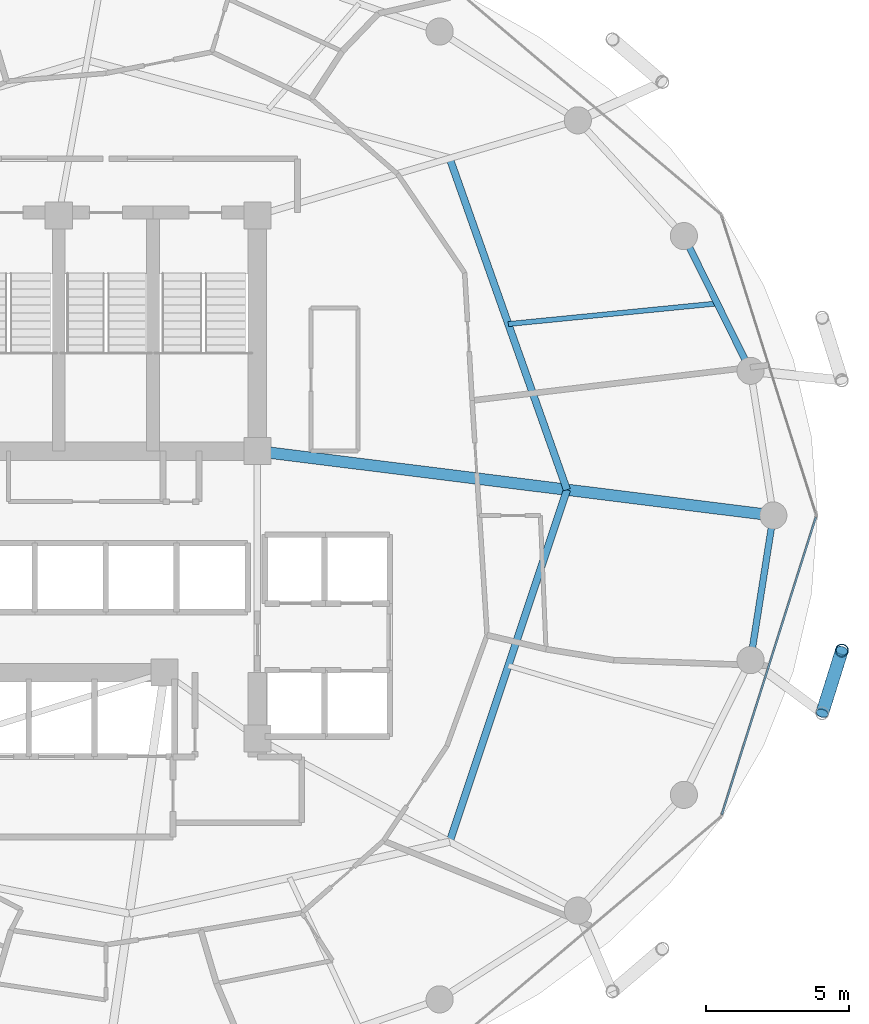
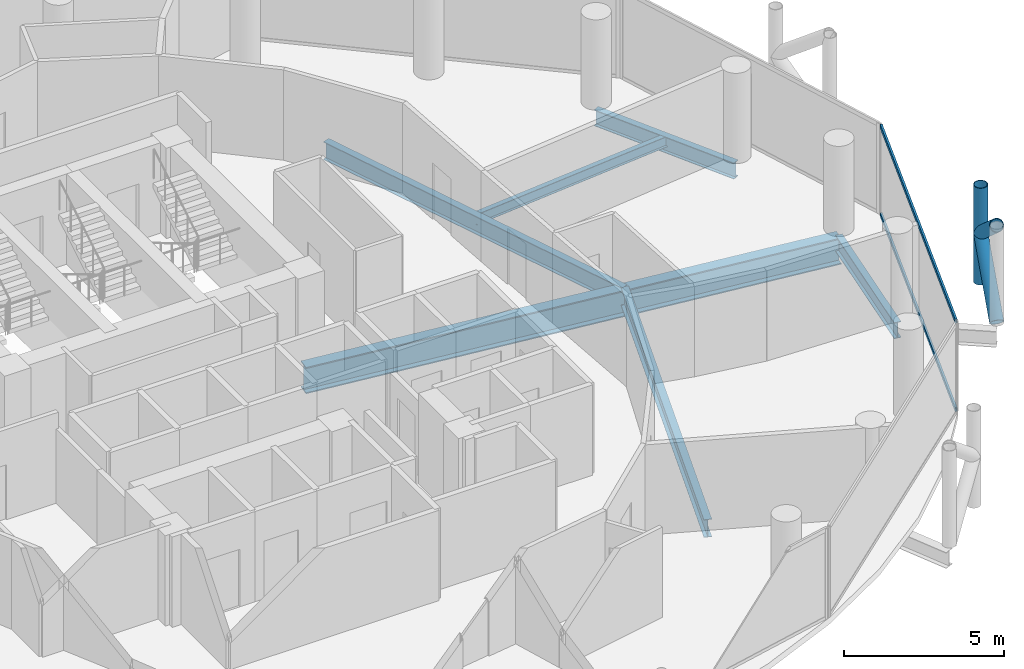
# One storey, part 11 of 26: 6 beams, 5 members, 1 element without a shape of its own.
"""IFC4 building model written with IfcOpenShell, lengths in metres."""

from ifc_helpers import new_model, si_unit, direction, frame, origin, origin_2d, place, context, subcontext, project, spatial, hollow_rectangle, hollow_circle, i_section, extrude, material, layer, layer_set, material_profile, profile_set, type_object, element, aggregate, save


model = new_model("IFC4")

# Units and contexts
model_context = context("Model", 3, precision=1e-05, world=origin(), true_north=direction((0.0, 1.0)))
body_context = subcontext(model_context, "Body", "Model", "MODEL_VIEW")
ifc_project = project(units=[si_unit("LENGTHUNIT", "METRE"), si_unit("AREAUNIT", "SQUARE_METRE"), si_unit("VOLUMEUNIT", "CUBIC_METRE"), si_unit("PLANEANGLEUNIT", "RADIAN"), si_unit("MASSUNIT", "GRAM", prefix="KILO")], contexts=[model_context])

# Site, building, storey
site_placement = place(None, origin())
site = spatial("IfcSite", under=ifc_project, at=site_placement, CompositionType="ELEMENT")
building_placement = place(site_placement, origin())
building = spatial("IfcBuilding", under=site, at=building_placement, Name="Nuhasar Tower", CompositionType="ELEMENT")
storey_placement = place(building_placement, frame((0.0, 0.0, 125.64990234375)))
storey = spatial("IfcBuildingStorey", under=building, at=storey_placement, Name="L29", CompositionType="ELEMENT", Elevation=125.64990234375)

# Beams
ifc_material_1 = material(Name="Steel S355", Category="steel")
ifc_material_profile_1 = material_profile(ifc_material_1, i_section(OverallWidth=0.25390625, OverallDepth=0.68408203125, WebThickness=0.012451171875, FlangeThickness=0.018798828125, at=origin_2d()), Name="W27X94")
ifc_profile_set_1 = profile_set([ifc_material_profile_1], Name="Steel S355")
beam_type_1 = type_object("IfcBeamType", Name="BM-INRING-W27X94", PredefinedType="BEAM", material=ifc_profile_set_1)
beam_1_placement = place(storey_placement, frame((51.027099609375, 15.385986328125, -0.591796875), z_axis=(0.31609797573, 0.948726551615, 0.0), x_axis=(-0.948726551615, 0.31609797573, 0.0)))
element("IfcBeam", 1, at=beam_1_placement, inside=storey, type_object=beam_type_1, Name="L29 Inner Header Beam 03", PredefinedType="BEAM", context=body_context, shape_type="SweptSolid", body=[
    extrude(i_section(OverallWidth=0.25390625, OverallDepth=0.68408203125, WebThickness=0.012451171875, FlangeThickness=0.018798828125, at=origin_2d()), origin(), (0.0, 0.0, 1.0), 12.9794921875),
])
beam_2_placement = place(storey_placement, frame((55.1298828125, 27.699951171875, -0.591796875), z_axis=(-0.333599821096, 0.942714781556, 0.0), x_axis=(-0.942714781556, -0.333599821096, 0.0)))
element("IfcBeam", 2, at=beam_2_placement, inside=storey, type_object=beam_type_1, Name="L29 Inner Header Beam 04", PredefinedType="BEAM", context=body_context, shape_type="SweptSolid", body=[
    extrude(i_section(OverallWidth=0.25390625, OverallDepth=0.68408203125, WebThickness=0.012451171875, FlangeThickness=0.018798828125, at=origin_2d()), origin(), (0.0, 0.0, 1.0), 12.298583984375),
])
ifc_material_profile_2 = material_profile(ifc_material_1, i_section(OverallWidth=0.177978515625, OverallDepth=0.406005859375, WebThickness=0.0078125, FlangeThickness=0.0126953125, at=origin_2d()), Name="W16X40")
ifc_profile_set_2 = profile_set([ifc_material_profile_2], Name="Steel S355")
beam_type_2 = type_object("IfcBeamType", Name="BM-JST-W16X40", PredefinedType="JOIST", material=ifc_profile_set_2)
beam_3_placement = place(storey_placement, frame((53.0791015625, 33.4970703125, -0.452880859375), z_axis=(0.995170244515, 0.098164068947, 0.0), x_axis=(-0.098164068947, 0.995170244515, 0.0)))
element("IfcBeam", 3, at=beam_3_placement, inside=storey, type_object=beam_type_2, Name="L29 Secondary Floor Joist 04", PredefinedType="JOIST", context=body_context, shape_type="SweptSolid", body=[
    extrude(i_section(OverallWidth=0.177978515625, OverallDepth=0.406005859375, WebThickness=0.0078125, FlangeThickness=0.0126953125, at=origin_2d()), origin(), (0.0, 0.0, 1.0), 7.34423828125),
])
ifc_material_profile_3 = material_profile(ifc_material_1, i_section(OverallWidth=0.22998046875, OverallDepth=0.616943359375, WebThickness=0.01318359375, FlangeThickness=0.022216796875, at=origin_2d()), Name="W24X94")
ifc_profile_set_3 = profile_set([ifc_material_profile_3], Name="Steel S355")
beam_type_3 = type_object("IfcBeamType", Name="BM-RING-W24X94", PredefinedType="SPANDREL", material=ifc_profile_set_3)
beam_4_placement = place(storey_placement, frame((61.553955078125, 31.860107421875, -0.557861328125), z_axis=(-0.443347771709, 0.896349682501, 0.0), x_axis=(-0.896349682501, -0.443347771709, 0.0)))
element("IfcBeam", 4, at=beam_4_placement, inside=storey, type_object=beam_type_3, Name="L29 Perimeter Ring Spandrel 02", PredefinedType="SPANDREL", context=body_context, shape_type="SweptSolid", body=[
    extrude(i_section(OverallWidth=0.22998046875, OverallDepth=0.616943359375, WebThickness=0.01318359375, FlangeThickness=0.022216796875, at=origin_2d()), origin(), (0.0, 0.0, 1.0), 5.260009765625),
])
beam_5_placement = place(storey_placement, frame((61.553955078125, 21.739990234375, -0.557861328125), z_axis=(0.155426543608, 0.987847452566, 0.0), x_axis=(-0.987847452566, 0.155426543608, 0.0)))
element("IfcBeam", 5, at=beam_5_placement, inside=storey, type_object=beam_type_3, Name="L29 Perimeter Ring Spandrel 24", PredefinedType="SPANDREL", context=body_context, shape_type="SweptSolid", body=[
    extrude(i_section(OverallWidth=0.22998046875, OverallDepth=0.616943359375, WebThickness=0.01318359375, FlangeThickness=0.022216796875, at=origin_2d()), origin(), (0.0, 0.0, 1.0), 5.122314453125),
])
ifc_material_2 = material(Name="Steel S460", Category="steel")
ifc_material_profile_4 = material_profile(ifc_material_2, i_section(OverallWidth=0.40087890625, OverallDepth=1.010009765625, WebThickness=0.023681640625, FlangeThickness=0.0419921875, at=origin_2d()), Name="W40X297")
ifc_profile_set_4 = profile_set([ifc_material_profile_4], Name="Steel S460")
beam_type_4 = type_object("IfcBeamType", Name="BM-XFER-W40X297", PredefinedType="USERDEFINED", material=ifc_profile_set_4)
beam_6_placement = place(storey_placement, frame((44.300048828125, 29.050048828125, -0.7548828125), z_axis=(0.992320149485, -0.123696082908, 0.0), x_axis=(0.123696082908, 0.992320149485, 0.0)))
element("IfcBeam", 6, at=beam_6_placement, inside=storey, type_object=beam_type_4, Name="L29 Radial Floor Girder 04", ObjectType="GIRDER", PredefinedType="USERDEFINED", context=body_context, shape_type="SweptSolid", body=[
    extrude(i_section(OverallWidth=0.40087890625, OverallDepth=1.010009765625, WebThickness=0.023681640625, FlangeThickness=0.0419921875, at=origin_2d()), origin(), (0.0, 0.0, 1.0), 18.189697265625),
])

# Curtain wall, members
ifc_material_3 = material(Name="Aluminium 6063-T6", Category="aluminium")
ifc_layer = layer(ifc_material_3, 0.199951171875)
ifc_layer_set = layer_set([ifc_layer], Name="Aluminium 6063-T6")
curtain_wall_type = type_object("IfcCurtainWallType", Name="CW-Z2-HTL", PredefinedType="NOTDEFINED", material=ifc_layer_set)
curtain_wall_placement = place(storey_placement, origin())
curtain_wall = element("IfcCurtainWall", 7, at=curtain_wall_placement, inside=storey, type_object=curtain_wall_type, Name="L29 Unitised Curtain Wall 12", PredefinedType="NOTDEFINED")
ifc_material_profile_5 = material_profile(ifc_material_3, hollow_rectangle(XDim=0.070068359375, YDim=0.159912109375, WallThickness=0.00439453125, at=origin_2d()), Name="CWT-3")
ifc_profile_set_5 = profile_set([ifc_material_profile_5], Name="Aluminium 6063-T6")
member_type_1 = type_object("IfcMemberType", Name="CW-TRN-S3", PredefinedType="USERDEFINED", material=ifc_profile_set_5)
member_1_placement = place(storey_placement, frame((60.550048828125, 16.336669921875, 0.03515625), z_axis=(0.301608163352, 0.953431967053, 0.0), x_axis=(-0.953431967053, 0.301608163352, 0.0)))
member_1 = element("IfcMember", 8, at=member_1_placement, type_object=member_type_1, Name="CW-Z2 transom 1.1", ObjectType="TRANSOM", PredefinedType="USERDEFINED", context=body_context, shape_type="SweptSolid", body=[
    extrude(hollow_rectangle(XDim=0.070068359375, YDim=0.159912109375, WallThickness=0.00439453125, at=origin_2d()), origin(), (0.0, 0.0, 1.0), 10.904296875),
])
member_2_placement = place(storey_placement, frame((60.550048828125, 16.336669921875, 3.4150390625), z_axis=(0.301608163352, 0.953431967053, 0.0), x_axis=(-0.953431967053, 0.301608163352, 0.0)))
member_2 = element("IfcMember", 9, at=member_2_placement, type_object=member_type_1, Name="CW-Z2 transom 1.2", ObjectType="TRANSOM", PredefinedType="USERDEFINED", context=body_context, shape_type="SweptSolid", body=[
    extrude(hollow_rectangle(XDim=0.070068359375, YDim=0.159912109375, WallThickness=0.00439453125, at=origin_2d()), origin(), (0.0, 0.0, 1.0), 10.904296875),
])
aggregate(curtain_wall, [member_1, member_2])

# Members
ifc_material_profile_6 = material_profile(ifc_material_2, hollow_circle(Radius=0.228515625, WallThickness=0.022216796875, at=origin_2d()), Name="HSS457X22.2")
ifc_profile_set_6 = profile_set([ifc_material_profile_6], Name="Steel S460")
member_type_2 = type_object("IfcMemberType", Name="EXO-BRONZE-457", PredefinedType="BRACE", material=ifc_profile_set_6)
member_3_placement = place(storey_placement, frame((64.748046875, 22.073974609375, 0.0), z_axis=(0.0, 0.0, 1.0), x_axis=(1.0, 0.0, 0.0)))
element("IfcMember", 10, at=member_3_placement, inside=storey, type_object=member_type_2, Name="L29 Exoskeleton Chord Column EC-12B", PredefinedType="BRACE", context=body_context, shape_type="SweptSolid", body=[
    extrude(hollow_circle(Radius=0.228515625, WallThickness=0.022216796875, at=origin_2d()), origin(), (0.0, 0.0, 1.0), 3.7001953125),
])
for number, where, z_axis, x_axis, name in (
    (11, (64.06005859375, 19.87890625, 0.0), (0.233055548538, 0.743577869731, 0.626719285599), (-0.954228474306, 0.29907861646, 0.0), "L29 Bronze Diagrid Brace W1-12"),
    (12, (64.748046875, 22.073974609375, 1.85009765625), (-0.233055548538, -0.743577869731, 0.626719285599), (0.954228474306, -0.29907861646, 0.0), "L29 Bronze Diagrid Brace W2-12"),
):
    element("IfcMember", number, at=place(storey_placement, frame(where, z_axis=z_axis, x_axis=x_axis)), inside=storey, type_object=member_type_2, Name=name, PredefinedType="BRACE", context=body_context, shape_type="SweptSolid", body=[
        extrude(hollow_circle(Radius=0.228515625, WallThickness=0.022216796875, at=origin_2d()), origin(), (0.0, 0.0, 1.0), 2.9521484375),
    ])

save(model, "model.ifc")
